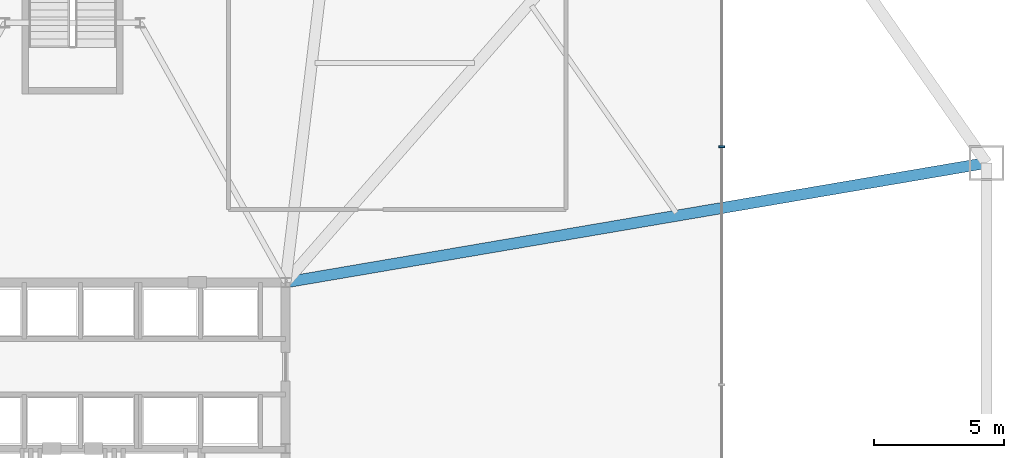
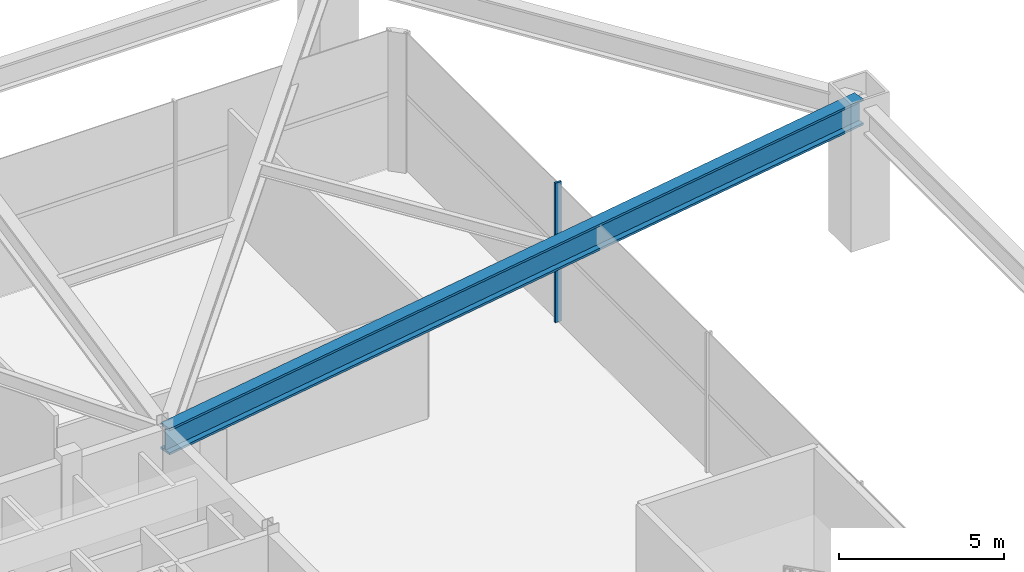
# One storey, part 10 of 18: 1 beam, 1 member, 1 element without a shape of its own.
"""IFC4 building model written with IfcOpenShell, lengths in metres."""

from ifc_helpers import new_model, si_unit, direction, frame, origin, origin_2d, place, context, subcontext, project, spatial, rectangle, i_section, extrude, source, transform, mapped, material, layer, layer_set, material_profile, profile_set, type_object, type_shapes, element, aggregate, save


model = new_model("IFC4")

# Units and contexts
model_context = context("Model", 3, precision=1e-05, world=origin(), true_north=direction((0.0, 1.0)))
body_context = subcontext(model_context, "Body", "Model", "MODEL_VIEW")
ifc_project = project(units=[si_unit("LENGTHUNIT", "METRE"), si_unit("AREAUNIT", "SQUARE_METRE"), si_unit("VOLUMEUNIT", "CUBIC_METRE"), si_unit("PLANEANGLEUNIT", "RADIAN"), si_unit("MASSUNIT", "GRAM", prefix="KILO")], contexts=[model_context])

# Site, building, storey
site_placement = place(None, origin())
site = spatial("IfcSite", under=ifc_project, at=site_placement, CompositionType="ELEMENT")
building_placement = place(site_placement, origin())
building = spatial("IfcBuilding", under=site, at=building_placement, Name="Varakhsha Concourse Tower", CompositionType="ELEMENT")
storey_placement = place(building_placement, frame((0.0, 0.0, 5.5)))
storey = spatial("IfcBuildingStorey", under=building, at=storey_placement, Name="L02", CompositionType="ELEMENT", Elevation=5.5)

# Beam
ifc_material_1 = material(Name="Structural Steel ASTM A992 Grade 50", Category="steel")
ifc_material_profile_1 = material_profile(ifc_material_1, i_section(OverallWidth=0.427978515625, OverallDepth=0.97509765625, WebThickness=0.050048828125, FlangeThickness=0.0810546875, at=origin_2d()), Name="W36X395")
ifc_profile_set_1 = profile_set([ifc_material_profile_1], Name="Structural Steel ASTM A992 Grade 50")
beam_type = type_object("IfcBeamType", Name="BM-XFER-W36X395", PredefinedType="USERDEFINED", material=ifc_profile_set_1)
beam_placement = place(storey_placement, frame((48.199951171875, 31.199951171875, 4.6923828125), z_axis=(0.985794867271, 0.167953802166, 0.0), x_axis=(-0.167953802166, 0.985794867271, 0.0)))
element("IfcBeam", 1, at=beam_placement, inside=storey, type_object=beam_type, Name="BM-PRAD-L02-06", ObjectType="GIRDER", PredefinedType="USERDEFINED", context=body_context, shape_type="SweptSolid", body=[
    extrude(i_section(OverallWidth=0.427978515625, OverallDepth=0.97509765625, WebThickness=0.050048828125, FlangeThickness=0.0810546875, at=origin_2d()), origin(), (0.0, 0.0, 1.0), 27.38916015625),
])

# Curtain wall, member
ifc_material_2 = material(Name="Anodised Bronze Architectural Aluminium AA 6063-T6", Category="aluminium")
ifc_layer = layer(ifc_material_2, 0.239990234375, Name="CW-SYS-01")
ifc_layer_set = layer_set([ifc_layer], Name="Anodised Bronze Architectural Aluminium AA 6063-T6")
curtain_wall_type = type_object("IfcCurtainWallType", Name="CW-SYS-01", PredefinedType="NOTDEFINED", material=ifc_layer_set)
curtain_wall_placement = place(storey_placement, origin())
curtain_wall = element("IfcCurtainWall", 2, at=curtain_wall_placement, inside=storey, type_object=curtain_wall_type, Name="L02 Mezzanine Curtain Wall 03", PredefinedType="NOTDEFINED")
ifc_material_profile_2 = material_profile(ifc_material_2, rectangle(XDim=0.074951171875, YDim=0.219970703125, at=origin_2d()), Name="CWM-220X75")
ifc_profile_set_2 = profile_set([ifc_material_profile_2], Name="Anodised Bronze Architectural Aluminium AA 6063-T6")
member_type = type_object("IfcMemberType", Name="CWM-220X75", PredefinedType="MULLION", material=ifc_profile_set_2)
shared_shape = source(origin(), body_context, "Body", "SweptSolid", [
    extrude(rectangle(XDim=0.074951171875, YDim=0.219970703125, at=origin_2d()), origin(), (0.0, 0.0, 1.0), 5.179931640625),
])
type_shapes(member_type, [shared_shape])
member_placement = place(storey_placement, frame((65.0, 36.425048828125, 0.0), z_axis=(0.0, 0.0, 1.0), x_axis=(0.0, 1.0, 0.0)))
member = element("IfcMember", 3, at=member_placement, type_object=member_type, Name="CW-L02-03 Mullion 03", PredefinedType="MULLION", context=body_context, shape_type="MappedRepresentation", body=[
    mapped(shared_shape, transform((0.0, 0.0, 0.0), scale=1.0)),
])
aggregate(curtain_wall, [member])

save(model, "model.ifc")
